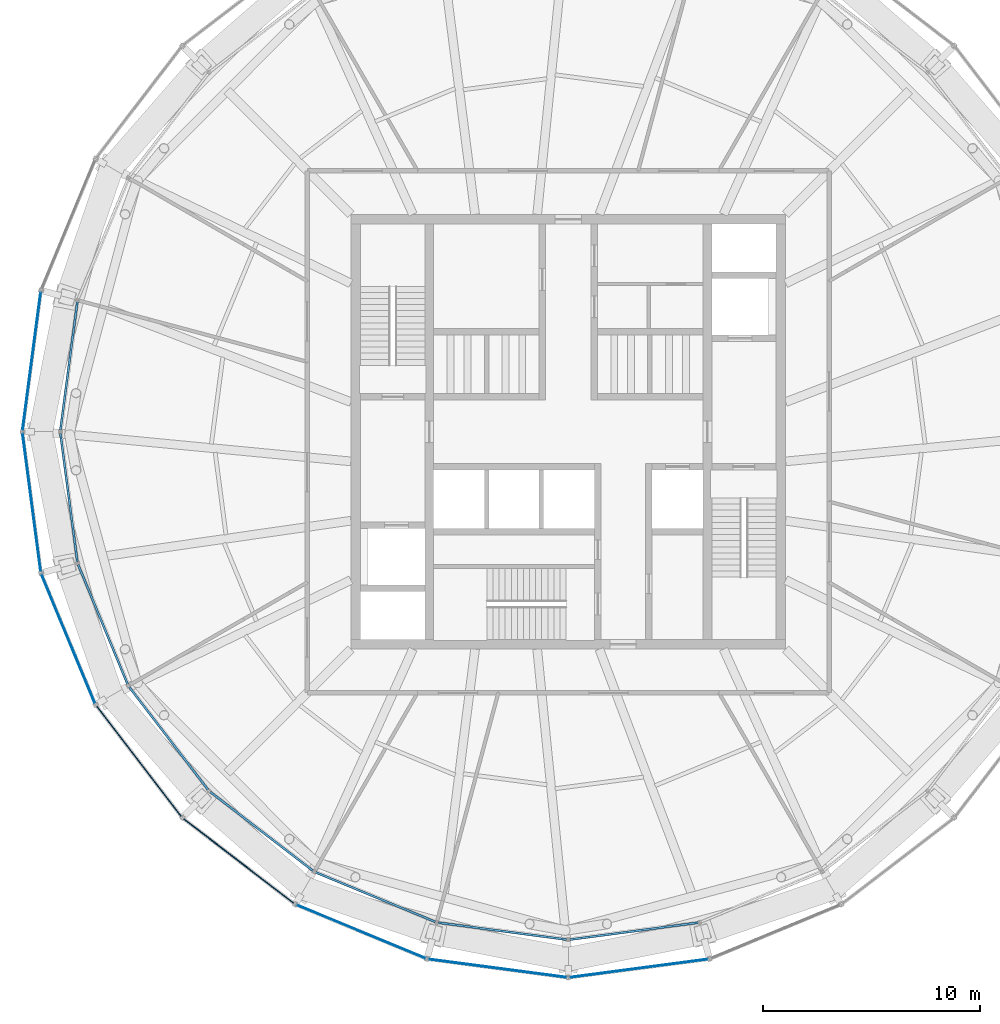
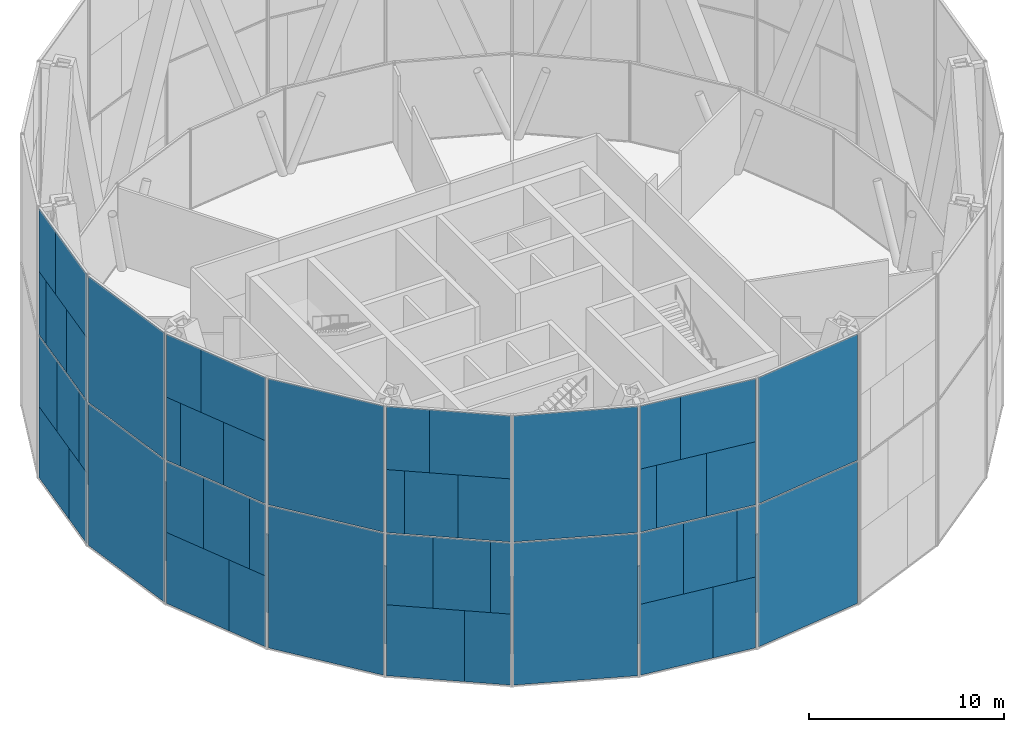
# One storey, part 9 of 15: 56 plates, 16 elements without a shape of their own.
"""IFC4 building model written with IfcOpenShell, lengths in metres."""

from ifc_helpers import new_model, si_unit, direction, frame, origin, origin_2d, place, context, subcontext, project, spatial, rectangle, extrude, material, layer, layer_set, type_object, element, aggregate, save


model = new_model("IFC4")

# Units and contexts
model_context = context("Model", 3, precision=1e-05, world=origin(), true_north=direction((0.0, 1.0)))
body_context = subcontext(model_context, "Body", "Model", "MODEL_VIEW")
ifc_project = project(units=[si_unit("LENGTHUNIT", "METRE"), si_unit("AREAUNIT", "SQUARE_METRE"), si_unit("VOLUMEUNIT", "CUBIC_METRE"), si_unit("PLANEANGLEUNIT", "RADIAN"), si_unit("MASSUNIT", "GRAM", prefix="KILO")], contexts=[model_context])

# Site, building, storey
site_placement = place(None, origin())
site = spatial("IfcSite", under=ifc_project, at=site_placement, CompositionType="ELEMENT")
building_placement = place(site_placement, origin())
building = spatial("IfcBuilding", under=site, at=building_placement, Name="Golbaran Civic Tower", CompositionType="ELEMENT")
storey_placement = place(building_placement, frame((0.0, 0.0, 215.0)))
storey = spatial("IfcBuildingStorey", under=building, at=storey_placement, Name="L52", CompositionType="ELEMENT", Elevation=215.0)

# Curtain wall, plates
ifc_material_1 = material(Name="Aluminium and glass", Category="aluminium")
curtain_wall_type_1 = type_object("IfcCurtainWallType", Name="OUTER SKIN TERRACOTTA SCREEN", PredefinedType="NOTDEFINED", material=ifc_material_1)
curtain_wall_1_placement = place(storey_placement, origin())
curtain_wall_1 = element("IfcCurtainWall", 1, at=curtain_wall_1_placement, inside=storey, type_object=curtain_wall_type_1, Name="Outer skin L52 facet 12 CW3", ObjectType="OUTER SKIN", PredefinedType="USERDEFINED")
ifc_material_2 = material(Name="Clear laminated glass", Category="glass")
ifc_layer_1 = layer(ifc_material_2, 0.0400390625, Name="Clear laminated glass")
ifc_layer_set_1 = layer_set([ifc_layer_1], Name="Clear laminated glass")
plate_type_1 = type_object("IfcPlateType", Name="OUTER SKIN CLEAR GLASS PANEL", PredefinedType="CURTAIN_PANEL", material=ifc_layer_set_1)
plate_1_placement = place(storey_placement, frame((-24.524169921875, 4.41943359375, -0.6298828125), z_axis=(0.0, 0.0, 1.0), x_axis=(-0.130526192203, -0.991444861376, 0.0)))
plate_1 = element("IfcPlate", 2, at=plate_1_placement, type_object=plate_type_1, Name="CW3 panel 1.1 part 1", PredefinedType="CURTAIN_PANEL", context=body_context, shape_type="SweptSolid", body=[
    extrude(rectangle(XDim=4.032958984375, YDim=0.0400390625, at=origin_2d()), origin(), (0.0, 0.0, 1.0), 4.43994140625),
])
plate_2_placement = place(storey_placement, frame((-24.417236328125, 5.232421875, 3.81005859375), z_axis=(0.0, 0.0, 1.0), x_axis=(-0.130526192203, -0.991444861376, 0.0)))
plate_2 = element("IfcPlate", 3, at=plate_2_placement, type_object=plate_type_1, Name="CW3 panel 1.1 part 3", PredefinedType="CURTAIN_PANEL", context=body_context, shape_type="SweptSolid", body=[
    extrude(rectangle(XDim=2.39306640625, YDim=0.0400390625, at=origin_2d()), origin(), (0.0, 0.0, 1.0), 4.43994140625),
])
plate_3_placement = place(storey_placement, frame((-25.027587890625, 0.594970703125, 3.81005859375), z_axis=(0.0, 0.0, 1.0), x_axis=(-0.130526192203, -0.991444861376, 0.0)))
plate_3 = element("IfcPlate", 4, at=plate_3_placement, type_object=plate_type_1, Name="CW3 panel 1.1 part 5", PredefinedType="CURTAIN_PANEL", context=body_context, shape_type="SweptSolid", body=[
    extrude(rectangle(XDim=1.0400390625, YDim=0.0400390625, at=origin_2d()), origin(), (0.0, 0.0, 1.0), 4.43994140625),
])
plate_4_placement = place(storey_placement, frame((-24.3203125, 5.968505859375, 8.330078125), z_axis=(0.0, 0.0, 1.0), x_axis=(-0.130526192203, -0.991444861376, 0.0)))
plate_4 = element("IfcPlate", 5, at=plate_4_placement, type_object=plate_type_1, Name="CW3 panel 1.2 part 1", PredefinedType="CURTAIN_PANEL", context=body_context, shape_type="SweptSolid", body=[
    extrude(rectangle(XDim=0.907958984375, YDim=0.0400390625, at=origin_2d()), origin(), (0.0, 0.0, 1.0), 3.93994140625),
])
plate_5_placement = place(storey_placement, frame((-24.91845703125, 1.4248046875, 8.330078125), z_axis=(0.0, 0.0, 1.0), x_axis=(-0.130526192203, -0.991444861376, 0.0)))
plate_5 = element("IfcPlate", 6, at=plate_5_placement, type_object=plate_type_1, Name="CW3 panel 1.2 part 3", PredefinedType="CURTAIN_PANEL", context=body_context, shape_type="SweptSolid", body=[
    extrude(rectangle(XDim=2.7138671875, YDim=0.0400390625, at=origin_2d()), origin(), (0.0, 0.0, 1.0), 3.93994140625),
])
plate_6_placement = place(storey_placement, frame((-24.822998046875, 2.14892578125, 12.27001953125), z_axis=(0.0, 0.0, 1.0), x_axis=(-0.130526192203, -0.991444861376, 0.0)))
plate_6 = element("IfcPlate", 7, at=plate_6_placement, type_object=plate_type_1, Name="CW3 panel 1.2 part 5", PredefinedType="CURTAIN_PANEL", context=body_context, shape_type="SweptSolid", body=[
    extrude(rectangle(XDim=4.175048828125, YDim=0.0400390625, at=origin_2d()), origin(), (0.0, 0.0, 1.0), 3.93994140625),
])

curtain_wall_2_placement = place(storey_placement, origin())
curtain_wall_2 = element("IfcCurtainWall", 8, at=curtain_wall_2_placement, inside=storey, type_object=curtain_wall_type_1, Name="Outer skin L52 facet 14 CW3", ObjectType="OUTER SKIN", PredefinedType="USERDEFINED")
plate_7_placement = place(storey_placement, frame((-23.4482421875, -8.434814453125, -0.6298828125), z_axis=(0.0, 0.0, 1.0), x_axis=(0.38268343243, -0.923879532485, 0.0)))
plate_7 = element("IfcPlate", 9, at=plate_7_placement, type_object=plate_type_1, Name="CW3 panel 1.1 part 1", PredefinedType="CURTAIN_PANEL", context=body_context, shape_type="SweptSolid", body=[
    extrude(rectangle(XDim=4.032958984375, YDim=0.0400390625, at=origin_2d()), origin(), (0.0, 0.0, 1.0), 4.43994140625),
])
plate_8_placement = place(storey_placement, frame((-23.761962890625, -7.67724609375, 3.81005859375), z_axis=(0.0, 0.0, 1.0), x_axis=(0.38268343243, -0.923879532485, 0.0)))
plate_8 = element("IfcPlate", 10, at=plate_8_placement, type_object=plate_type_1, Name="CW3 panel 1.1 part 3", PredefinedType="CURTAIN_PANEL", context=body_context, shape_type="SweptSolid", body=[
    extrude(rectangle(XDim=2.39306640625, YDim=0.0400390625, at=origin_2d()), origin(), (0.0, 0.0, 1.0), 4.43994140625),
])
plate_9_placement = place(storey_placement, frame((-21.971923828125, -11.998779296875, 3.81005859375), z_axis=(0.0, 0.0, 1.0), x_axis=(0.38268343243, -0.923879532485, 0.0)))
plate_9 = element("IfcPlate", 11, at=plate_9_placement, type_object=plate_type_1, Name="CW3 panel 1.1 part 5", PredefinedType="CURTAIN_PANEL", context=body_context, shape_type="SweptSolid", body=[
    extrude(rectangle(XDim=1.0400390625, YDim=0.0400390625, at=origin_2d()), origin(), (0.0, 0.0, 1.0), 4.43994140625),
])
plate_10_placement = place(storey_placement, frame((-24.046142578125, -6.9912109375, 8.330078125), z_axis=(0.0, 0.0, 1.0), x_axis=(0.38268343243, -0.923879532485, 0.0)))
plate_10 = element("IfcPlate", 12, at=plate_10_placement, type_object=plate_type_1, Name="CW3 panel 1.2 part 1", PredefinedType="CURTAIN_PANEL", context=body_context, shape_type="SweptSolid", body=[
    extrude(rectangle(XDim=0.907958984375, YDim=0.0400390625, at=origin_2d()), origin(), (0.0, 0.0, 1.0), 3.93994140625),
])
plate_11_placement = place(storey_placement, frame((-22.292236328125, -11.225341796875, 8.330078125), z_axis=(0.0, 0.0, 1.0), x_axis=(0.38268343243, -0.923879532485, 0.0)))
plate_11 = element("IfcPlate", 13, at=plate_11_placement, type_object=plate_type_1, Name="CW3 panel 1.2 part 3", PredefinedType="CURTAIN_PANEL", context=body_context, shape_type="SweptSolid", body=[
    extrude(rectangle(XDim=2.7138671875, YDim=0.0400390625, at=origin_2d()), origin(), (0.0, 0.0, 1.0), 3.93994140625),
])
plate_12_placement = place(storey_placement, frame((-22.57177734375, -10.550537109375, 12.27001953125), z_axis=(0.0, 0.0, 1.0), x_axis=(0.38268343243, -0.923879532485, 0.0)))
plate_12 = element("IfcPlate", 14, at=plate_12_placement, type_object=plate_type_1, Name="CW3 panel 1.2 part 5", PredefinedType="CURTAIN_PANEL", context=body_context, shape_type="SweptSolid", body=[
    extrude(rectangle(XDim=4.175048828125, YDim=0.0400390625, at=origin_2d()), origin(), (0.0, 0.0, 1.0), 3.93994140625),
])

curtain_wall_3_placement = place(storey_placement, origin())
curtain_wall_3 = element("IfcCurtainWall", 15, at=curtain_wall_3_placement, inside=storey, type_object=curtain_wall_type_1, Name="Outer skin L52 facet 16 CW3", ObjectType="OUTER SKIN", PredefinedType="USERDEFINED")
plate_13_placement = place(storey_placement, frame((-16.08935546875, -19.02880859375, -0.6298828125), z_axis=(0.0, 0.0, 1.0), x_axis=(0.793353340259, -0.60876142905, 0.0)))
plate_13 = element("IfcPlate", 16, at=plate_13_placement, type_object=plate_type_1, Name="CW3 panel 1.1 part 1", PredefinedType="CURTAIN_PANEL", context=body_context, shape_type="SweptSolid", body=[
    extrude(rectangle(XDim=4.032958984375, YDim=0.0400390625, at=origin_2d()), origin(), (0.0, 0.0, 1.0), 4.43994140625),
])
plate_14_placement = place(storey_placement, frame((-16.739990234375, -18.52978515625, 3.81005859375), z_axis=(0.0, 0.0, 1.0), x_axis=(0.793353340259, -0.60876142905, 0.0)))
plate_14 = element("IfcPlate", 17, at=plate_14_placement, type_object=plate_type_1, Name="CW3 panel 1.1 part 3", PredefinedType="CURTAIN_PANEL", context=body_context, shape_type="SweptSolid", body=[
    extrude(rectangle(XDim=2.39306640625, YDim=0.0400390625, at=origin_2d()), origin(), (0.0, 0.0, 1.0), 4.43994140625),
])
plate_15_placement = place(storey_placement, frame((-13.029052734375, -21.377197265625, 3.81005859375), z_axis=(0.0, 0.0, 1.0), x_axis=(0.793353340259, -0.60876142905, 0.0)))
plate_15 = element("IfcPlate", 18, at=plate_15_placement, type_object=plate_type_1, Name="CW3 panel 1.1 part 5", PredefinedType="CURTAIN_PANEL", context=body_context, shape_type="SweptSolid", body=[
    extrude(rectangle(XDim=1.0400390625, YDim=0.0400390625, at=origin_2d()), origin(), (0.0, 0.0, 1.0), 4.43994140625),
])
plate_16_placement = place(storey_placement, frame((-17.328857421875, -18.07763671875, 8.330078125), z_axis=(0.0, 0.0, 1.0), x_axis=(0.793353340259, -0.60876142905, 0.0)))
plate_16 = element("IfcPlate", 19, at=plate_16_placement, type_object=plate_type_1, Name="CW3 panel 1.2 part 1", PredefinedType="CURTAIN_PANEL", context=body_context, shape_type="SweptSolid", body=[
    extrude(rectangle(XDim=0.907958984375, YDim=0.0400390625, at=origin_2d()), origin(), (0.0, 0.0, 1.0), 3.93994140625),
])
plate_17_placement = place(storey_placement, frame((-13.693115234375, -20.86767578125, 8.330078125), z_axis=(0.0, 0.0, 1.0), x_axis=(0.793353340259, -0.60876142905, 0.0)))
plate_17 = element("IfcPlate", 20, at=plate_17_placement, type_object=plate_type_1, Name="CW3 panel 1.2 part 3", PredefinedType="CURTAIN_PANEL", context=body_context, shape_type="SweptSolid", body=[
    extrude(rectangle(XDim=2.7138671875, YDim=0.0400390625, at=origin_2d()), origin(), (0.0, 0.0, 1.0), 3.93994140625),
])
plate_18_placement = place(storey_placement, frame((-14.272705078125, -20.4228515625, 12.27001953125), z_axis=(0.0, 0.0, 1.0), x_axis=(0.793353340259, -0.60876142905, 0.0)))
plate_18 = element("IfcPlate", 21, at=plate_18_placement, type_object=plate_type_1, Name="CW3 panel 1.2 part 5", PredefinedType="CURTAIN_PANEL", context=body_context, shape_type="SweptSolid", body=[
    extrude(rectangle(XDim=4.175048828125, YDim=0.0400390625, at=origin_2d()), origin(), (0.0, 0.0, 1.0), 3.93994140625),
])

curtain_wall_4_placement = place(storey_placement, origin())
curtain_wall_4 = element("IfcCurtainWall", 22, at=curtain_wall_4_placement, inside=storey, type_object=curtain_wall_type_1, Name="Outer skin L52 facet 18 CW3", ObjectType="OUTER SKIN", PredefinedType="USERDEFINED")
plate_19_placement = place(storey_placement, frame((-4.41943359375, -24.524169921875, -0.6298828125), z_axis=(0.0, 0.0, 1.0), x_axis=(0.991444861376, -0.130526192203, 0.0)))
plate_19 = element("IfcPlate", 23, at=plate_19_placement, type_object=plate_type_1, Name="CW3 panel 1.1 part 1", PredefinedType="CURTAIN_PANEL", context=body_context, shape_type="SweptSolid", body=[
    extrude(rectangle(XDim=4.032958984375, YDim=0.0400390625, at=origin_2d()), origin(), (0.0, 0.0, 1.0), 4.43994140625),
])
plate_20_placement = place(storey_placement, frame((-5.232421875, -24.417236328125, 3.81005859375), z_axis=(0.0, 0.0, 1.0), x_axis=(0.991444861376, -0.130526192203, 0.0)))
plate_20 = element("IfcPlate", 24, at=plate_20_placement, type_object=plate_type_1, Name="CW3 panel 1.1 part 3", PredefinedType="CURTAIN_PANEL", context=body_context, shape_type="SweptSolid", body=[
    extrude(rectangle(XDim=2.39306640625, YDim=0.0400390625, at=origin_2d()), origin(), (0.0, 0.0, 1.0), 4.43994140625),
])
plate_21_placement = place(storey_placement, frame((-0.594970703125, -25.027587890625, 3.81005859375), z_axis=(0.0, 0.0, 1.0), x_axis=(0.991444861376, -0.130526192203, 0.0)))
plate_21 = element("IfcPlate", 25, at=plate_21_placement, type_object=plate_type_1, Name="CW3 panel 1.1 part 5", PredefinedType="CURTAIN_PANEL", context=body_context, shape_type="SweptSolid", body=[
    extrude(rectangle(XDim=1.0400390625, YDim=0.0400390625, at=origin_2d()), origin(), (0.0, 0.0, 1.0), 4.43994140625),
])
plate_22_placement = place(storey_placement, frame((-5.968505859375, -24.3203125, 8.330078125), z_axis=(0.0, 0.0, 1.0), x_axis=(0.991444861376, -0.130526192203, 0.0)))
plate_22 = element("IfcPlate", 26, at=plate_22_placement, type_object=plate_type_1, Name="CW3 panel 1.2 part 1", PredefinedType="CURTAIN_PANEL", context=body_context, shape_type="SweptSolid", body=[
    extrude(rectangle(XDim=0.907958984375, YDim=0.0400390625, at=origin_2d()), origin(), (0.0, 0.0, 1.0), 3.93994140625),
])
plate_23_placement = place(storey_placement, frame((-1.4248046875, -24.91845703125, 8.330078125), z_axis=(0.0, 0.0, 1.0), x_axis=(0.991444861376, -0.130526192203, 0.0)))
plate_23 = element("IfcPlate", 27, at=plate_23_placement, type_object=plate_type_1, Name="CW3 panel 1.2 part 3", PredefinedType="CURTAIN_PANEL", context=body_context, shape_type="SweptSolid", body=[
    extrude(rectangle(XDim=2.7138671875, YDim=0.0400390625, at=origin_2d()), origin(), (0.0, 0.0, 1.0), 3.93994140625),
])
plate_24_placement = place(storey_placement, frame((-2.14892578125, -24.822998046875, 12.27001953125), z_axis=(0.0, 0.0, 1.0), x_axis=(0.991444861376, -0.130526192203, 0.0)))
plate_24 = element("IfcPlate", 28, at=plate_24_placement, type_object=plate_type_1, Name="CW3 panel 1.2 part 5", PredefinedType="CURTAIN_PANEL", context=body_context, shape_type="SweptSolid", body=[
    extrude(rectangle(XDim=4.175048828125, YDim=0.0400390625, at=origin_2d()), origin(), (0.0, 0.0, 1.0), 3.93994140625),
])

# Plate
ifc_material_3 = material(Name="Terracotta baguette screen", Category="masonry")
ifc_layer_2 = layer(ifc_material_3, 0.0400390625, Name="Terracotta baguette screen")
ifc_layer_set_2 = layer_set([ifc_layer_2], Name="Terracotta baguette screen")
plate_type_2 = type_object("IfcPlateType", Name="OUTER SKIN TERRACOTTA INFILL PANEL", PredefinedType="CURTAIN_PANEL", material=ifc_layer_set_2)
plate_25_placement = place(storey_placement, frame((-24.94140625, 1.249755859375, -0.6298828125), z_axis=(0.0, 0.0, 1.0), x_axis=(-0.130526192203, -0.991444861376, 0.0)))
plate_25 = element("IfcPlate", 29, at=plate_25_placement, type_object=plate_type_2, Name="CW3 infill panel 1.1 part 2", PredefinedType="CURTAIN_PANEL", context=body_context, shape_type="SweptSolid", body=[
    extrude(rectangle(XDim=2.361083984375, YDim=0.0400390625, at=origin_2d()), origin(), (0.0, 0.0, 1.0), 4.43994140625),
])

plate_26_placement = place(storey_placement, frame((-24.7666015625, 2.578125, 3.81005859375), z_axis=(0.0, 0.0, 1.0), x_axis=(-0.130526192203, -0.991444861376, 0.0)))
plate_26 = element("IfcPlate", 30, at=plate_26_placement, type_object=plate_type_2, Name="CW3 infill panel 1.1 part 4", PredefinedType="CURTAIN_PANEL", context=body_context, shape_type="SweptSolid", body=[
    extrude(rectangle(XDim=2.9609375, YDim=0.0400390625, at=origin_2d()), origin(), (0.0, 0.0, 1.0), 4.43994140625),
])

plate_27_placement = place(storey_placement, frame((-24.560302734375, 4.144287109375, 8.330078125), z_axis=(0.0, 0.0, 1.0), x_axis=(-0.130526192203, -0.991444861376, 0.0)))
plate_27 = element("IfcPlate", 31, at=plate_27_placement, type_object=plate_type_2, Name="CW3 infill panel 1.2 part 2", PredefinedType="CURTAIN_PANEL", context=body_context, shape_type="SweptSolid", body=[
    extrude(rectangle(XDim=2.77197265625, YDim=0.0400390625, at=origin_2d()), origin(), (0.0, 0.0, 1.0), 3.93994140625),
])

plate_28_placement = place(storey_placement, frame((-24.40576171875, 5.318603515625, 12.27001953125), z_axis=(0.0, 0.0, 1.0), x_axis=(-0.130526192203, -0.991444861376, 0.0)))
plate_28 = element("IfcPlate", 32, at=plate_28_placement, type_object=plate_type_2, Name="CW3 infill panel 1.2 part 4", PredefinedType="CURTAIN_PANEL", context=body_context, shape_type="SweptSolid", body=[
    extrude(rectangle(XDim=2.218994140625, YDim=0.0400390625, at=origin_2d()), origin(), (0.0, 0.0, 1.0), 3.93994140625),
])

aggregate(curtain_wall_1, [plate_1, plate_25, plate_2, plate_26, plate_3, plate_4, plate_27, plate_5, plate_28, plate_6])

plate_29_placement = place(storey_placement, frame((-22.224853515625, -11.388427734375, -0.6298828125), z_axis=(0.0, 0.0, 1.0), x_axis=(0.38268343243, -0.923879532485, 0.0)))
plate_29 = element("IfcPlate", 33, at=plate_29_placement, type_object=plate_type_2, Name="CW3 infill panel 1.1 part 2", PredefinedType="CURTAIN_PANEL", context=body_context, shape_type="SweptSolid", body=[
    extrude(rectangle(XDim=2.361083984375, YDim=0.0400390625, at=origin_2d()), origin(), (0.0, 0.0, 1.0), 4.43994140625),
])

plate_30_placement = place(storey_placement, frame((-22.737548828125, -10.150390625, 3.81005859375), z_axis=(0.0, 0.0, 1.0), x_axis=(0.38268343243, -0.923879532485, 0.0)))
plate_30 = element("IfcPlate", 34, at=plate_30_placement, type_object=plate_type_2, Name="CW3 infill panel 1.1 part 4", PredefinedType="CURTAIN_PANEL", context=body_context, shape_type="SweptSolid", body=[
    extrude(rectangle(XDim=2.9609375, YDim=0.0400390625, at=origin_2d()), origin(), (0.0, 0.0, 1.0), 4.43994140625),
])

plate_31_placement = place(storey_placement, frame((-23.342041015625, -8.691162109375, 8.330078125), z_axis=(0.0, 0.0, 1.0), x_axis=(0.38268343243, -0.923879532485, 0.0)))
plate_31 = element("IfcPlate", 35, at=plate_31_placement, type_object=plate_type_2, Name="CW3 infill panel 1.2 part 2", PredefinedType="CURTAIN_PANEL", context=body_context, shape_type="SweptSolid", body=[
    extrude(rectangle(XDim=2.77197265625, YDim=0.0400390625, at=origin_2d()), origin(), (0.0, 0.0, 1.0), 3.93994140625),
])

plate_32_placement = place(storey_placement, frame((-23.79541015625, -7.596923828125, 12.27001953125), z_axis=(0.0, 0.0, 1.0), x_axis=(0.38268343243, -0.923879532485, 0.0)))
plate_32 = element("IfcPlate", 36, at=plate_32_placement, type_object=plate_type_2, Name="CW3 infill panel 1.2 part 4", PredefinedType="CURTAIN_PANEL", context=body_context, shape_type="SweptSolid", body=[
    extrude(rectangle(XDim=2.218994140625, YDim=0.0400390625, at=origin_2d()), origin(), (0.0, 0.0, 1.0), 3.93994140625),
])

aggregate(curtain_wall_2, [plate_7, plate_29, plate_8, plate_30, plate_9, plate_10, plate_31, plate_11, plate_32, plate_12])

plate_33_placement = place(storey_placement, frame((-13.552978515625, -20.97509765625, -0.6298828125), z_axis=(0.0, 0.0, 1.0), x_axis=(0.793353340259, -0.60876142905, 0.0)))
plate_33 = element("IfcPlate", 37, at=plate_33_placement, type_object=plate_type_2, Name="CW3 infill panel 1.1 part 2", PredefinedType="CURTAIN_PANEL", context=body_context, shape_type="SweptSolid", body=[
    extrude(rectangle(XDim=2.361083984375, YDim=0.0400390625, at=origin_2d()), origin(), (0.0, 0.0, 1.0), 4.43994140625),
])

plate_34_placement = place(storey_placement, frame((-14.6162109375, -20.159423828125, 3.81005859375), z_axis=(0.0, 0.0, 1.0), x_axis=(0.793353340259, -0.60876142905, 0.0)))
plate_34 = element("IfcPlate", 38, at=plate_34_placement, type_object=plate_type_2, Name="CW3 infill panel 1.1 part 4", PredefinedType="CURTAIN_PANEL", context=body_context, shape_type="SweptSolid", body=[
    extrude(rectangle(XDim=2.9609375, YDim=0.0400390625, at=origin_2d()), origin(), (0.0, 0.0, 1.0), 4.43994140625),
])

plate_35_placement = place(storey_placement, frame((-15.869140625, -19.19775390625, 8.330078125), z_axis=(0.0, 0.0, 1.0), x_axis=(0.793353340259, -0.60876142905, 0.0)))
plate_35 = element("IfcPlate", 39, at=plate_35_placement, type_object=plate_type_2, Name="CW3 infill panel 1.2 part 2", PredefinedType="CURTAIN_PANEL", context=body_context, shape_type="SweptSolid", body=[
    extrude(rectangle(XDim=2.77197265625, YDim=0.0400390625, at=origin_2d()), origin(), (0.0, 0.0, 1.0), 3.93994140625),
])

plate_36_placement = place(storey_placement, frame((-16.808837890625, -18.476806640625, 12.27001953125), z_axis=(0.0, 0.0, 1.0), x_axis=(0.793353340259, -0.60876142905, 0.0)))
plate_36 = element("IfcPlate", 40, at=plate_36_placement, type_object=plate_type_2, Name="CW3 infill panel 1.2 part 4", PredefinedType="CURTAIN_PANEL", context=body_context, shape_type="SweptSolid", body=[
    extrude(rectangle(XDim=2.218994140625, YDim=0.0400390625, at=origin_2d()), origin(), (0.0, 0.0, 1.0), 3.93994140625),
])

aggregate(curtain_wall_3, [plate_13, plate_33, plate_14, plate_34, plate_15, plate_16, plate_35, plate_17, plate_36, plate_18])

plate_37_placement = place(storey_placement, frame((-1.249755859375, -24.94140625, -0.6298828125), z_axis=(0.0, 0.0, 1.0), x_axis=(0.991444861376, -0.130526192203, 0.0)))
plate_37 = element("IfcPlate", 41, at=plate_37_placement, type_object=plate_type_2, Name="CW3 infill panel 1.1 part 2", PredefinedType="CURTAIN_PANEL", context=body_context, shape_type="SweptSolid", body=[
    extrude(rectangle(XDim=2.361083984375, YDim=0.0400390625, at=origin_2d()), origin(), (0.0, 0.0, 1.0), 4.43994140625),
])

plate_38_placement = place(storey_placement, frame((-2.578125, -24.7666015625, 3.81005859375), z_axis=(0.0, 0.0, 1.0), x_axis=(0.991444861376, -0.130526192203, 0.0)))
plate_38 = element("IfcPlate", 42, at=plate_38_placement, type_object=plate_type_2, Name="CW3 infill panel 1.1 part 4", PredefinedType="CURTAIN_PANEL", context=body_context, shape_type="SweptSolid", body=[
    extrude(rectangle(XDim=2.9609375, YDim=0.0400390625, at=origin_2d()), origin(), (0.0, 0.0, 1.0), 4.43994140625),
])

plate_39_placement = place(storey_placement, frame((-4.144287109375, -24.560302734375, 8.330078125), z_axis=(0.0, 0.0, 1.0), x_axis=(0.991444861376, -0.130526192203, 0.0)))
plate_39 = element("IfcPlate", 43, at=plate_39_placement, type_object=plate_type_2, Name="CW3 infill panel 1.2 part 2", PredefinedType="CURTAIN_PANEL", context=body_context, shape_type="SweptSolid", body=[
    extrude(rectangle(XDim=2.77197265625, YDim=0.0400390625, at=origin_2d()), origin(), (0.0, 0.0, 1.0), 3.93994140625),
])

plate_40_placement = place(storey_placement, frame((-5.318603515625, -24.40576171875, 12.27001953125), z_axis=(0.0, 0.0, 1.0), x_axis=(0.991444861376, -0.130526192203, 0.0)))
plate_40 = element("IfcPlate", 44, at=plate_40_placement, type_object=plate_type_2, Name="CW3 infill panel 1.2 part 4", PredefinedType="CURTAIN_PANEL", context=body_context, shape_type="SweptSolid", body=[
    extrude(rectangle(XDim=2.218994140625, YDim=0.0400390625, at=origin_2d()), origin(), (0.0, 0.0, 1.0), 3.93994140625),
])

aggregate(curtain_wall_4, [plate_19, plate_37, plate_20, plate_38, plate_21, plate_22, plate_39, plate_23, plate_40, plate_24])

# Curtain wall, plates
curtain_wall_5_placement = place(storey_placement, origin())
curtain_wall_5 = element("IfcCurtainWall", 45, at=curtain_wall_5_placement, inside=storey, type_object=curtain_wall_type_1, Name="Outer skin L52 facet 13 CW3", ObjectType="OUTER SKIN", PredefinedType="USERDEFINED")
ifc_layer_3 = layer(ifc_material_3, 0.0400390625, Name="Terracotta baguette screen")
ifc_layer_set_3 = layer_set([ifc_layer_3], Name="Terracotta baguette screen")
plate_type_3 = type_object("IfcPlateType", Name="OUTER SKIN TERRACOTTA SCREEN PANEL", PredefinedType="CURTAIN_PANEL", material=ifc_layer_set_3)
plate_41_placement = place(storey_placement, frame((-24.67822265625, -3.2490234375, -0.6298828125), z_axis=(0.0, 0.0, 1.0), x_axis=(0.130526192203, -0.991444861376, 0.0)))
plate_41 = element("IfcPlate", 46, at=plate_41_placement, type_object=plate_type_3, Name="CW3 terracotta screen panel 1.1", PredefinedType="CURTAIN_PANEL", context=body_context, shape_type="SweptSolid", body=[
    extrude(rectangle(XDim=6.39404296875, YDim=0.0400390625, at=origin_2d()), origin(), (0.0, 0.0, 1.0), 8.8798828125),
])
plate_42_placement = place(storey_placement, frame((-24.67822265625, -3.2490234375, 8.330078125), z_axis=(0.0, 0.0, 1.0), x_axis=(0.130526192203, -0.991444861376, 0.0)))
plate_42 = element("IfcPlate", 47, at=plate_42_placement, type_object=plate_type_3, Name="CW3 terracotta screen panel 1.2", PredefinedType="CURTAIN_PANEL", context=body_context, shape_type="SweptSolid", body=[
    extrude(rectangle(XDim=6.39404296875, YDim=0.0400390625, at=origin_2d()), origin(), (0.0, 0.0, 1.0), 7.8798828125),
])
aggregate(curtain_wall_5, [plate_41, plate_42])

curtain_wall_6_placement = place(storey_placement, origin())
curtain_wall_6 = element("IfcCurtainWall", 48, at=curtain_wall_6_placement, inside=storey, type_object=curtain_wall_type_1, Name="Outer skin L52 facet 15 CW3", ObjectType="OUTER SKIN", PredefinedType="USERDEFINED")
plate_43_placement = place(storey_placement, frame((-19.74755859375, -15.15283203125, -0.6298828125), z_axis=(0.0, 0.0, 1.0), x_axis=(0.60876142905, -0.793353340259, 0.0)))
plate_43 = element("IfcPlate", 49, at=plate_43_placement, type_object=plate_type_3, Name="CW3 terracotta screen panel 1.1", PredefinedType="CURTAIN_PANEL", context=body_context, shape_type="SweptSolid", body=[
    extrude(rectangle(XDim=6.39404296875, YDim=0.0400390625, at=origin_2d()), origin(), (0.0, 0.0, 1.0), 8.8798828125),
])
plate_44_placement = place(storey_placement, frame((-19.74755859375, -15.15283203125, 8.330078125), z_axis=(0.0, 0.0, 1.0), x_axis=(0.60876142905, -0.793353340259, 0.0)))
plate_44 = element("IfcPlate", 50, at=plate_44_placement, type_object=plate_type_3, Name="CW3 terracotta screen panel 1.2", PredefinedType="CURTAIN_PANEL", context=body_context, shape_type="SweptSolid", body=[
    extrude(rectangle(XDim=6.39404296875, YDim=0.0400390625, at=origin_2d()), origin(), (0.0, 0.0, 1.0), 7.8798828125),
])
aggregate(curtain_wall_6, [plate_43, plate_44])

curtain_wall_7_placement = place(storey_placement, origin())
curtain_wall_7 = element("IfcCurtainWall", 51, at=curtain_wall_7_placement, inside=storey, type_object=curtain_wall_type_1, Name="Outer skin L52 facet 17 CW3", ObjectType="OUTER SKIN", PredefinedType="USERDEFINED")
plate_45_placement = place(storey_placement, frame((-9.525390625, -22.99658203125, -0.6298828125), z_axis=(0.0, 0.0, 1.0), x_axis=(0.923879532485, -0.38268343243, 0.0)))
plate_45 = element("IfcPlate", 52, at=plate_45_placement, type_object=plate_type_3, Name="CW3 terracotta screen panel 1.1", PredefinedType="CURTAIN_PANEL", context=body_context, shape_type="SweptSolid", body=[
    extrude(rectangle(XDim=6.39404296875, YDim=0.0400390625, at=origin_2d()), origin(), (0.0, 0.0, 1.0), 8.8798828125),
])
plate_46_placement = place(storey_placement, frame((-9.525390625, -22.99658203125, 8.330078125), z_axis=(0.0, 0.0, 1.0), x_axis=(0.923879532485, -0.38268343243, 0.0)))
plate_46 = element("IfcPlate", 53, at=plate_46_placement, type_object=plate_type_3, Name="CW3 terracotta screen panel 1.2", PredefinedType="CURTAIN_PANEL", context=body_context, shape_type="SweptSolid", body=[
    extrude(rectangle(XDim=6.39404296875, YDim=0.0400390625, at=origin_2d()), origin(), (0.0, 0.0, 1.0), 7.8798828125),
])
aggregate(curtain_wall_7, [plate_45, plate_46])

curtain_wall_8_placement = place(storey_placement, origin())
curtain_wall_8 = element("IfcCurtainWall", 54, at=curtain_wall_8_placement, inside=storey, type_object=curtain_wall_type_1, Name="Outer skin L52 facet 19 CW3", ObjectType="OUTER SKIN", PredefinedType="USERDEFINED")
plate_47_placement = place(storey_placement, frame((3.2490234375, -24.67822265625, -0.6298828125), z_axis=(0.0, 0.0, 1.0), x_axis=(0.991444861376, 0.130526192203, 0.0)))
plate_47 = element("IfcPlate", 55, at=plate_47_placement, type_object=plate_type_3, Name="CW3 terracotta screen panel 1.1", PredefinedType="CURTAIN_PANEL", context=body_context, shape_type="SweptSolid", body=[
    extrude(rectangle(XDim=6.39404296875, YDim=0.0400390625, at=origin_2d()), origin(), (0.0, 0.0, 1.0), 8.8798828125),
])
plate_48_placement = place(storey_placement, frame((3.2490234375, -24.67822265625, 8.330078125), z_axis=(0.0, 0.0, 1.0), x_axis=(0.991444861376, 0.130526192203, 0.0)))
plate_48 = element("IfcPlate", 56, at=plate_48_placement, type_object=plate_type_3, Name="CW3 terracotta screen panel 1.2", PredefinedType="CURTAIN_PANEL", context=body_context, shape_type="SweptSolid", body=[
    extrude(rectangle(XDim=6.39404296875, YDim=0.0400390625, at=origin_2d()), origin(), (0.0, 0.0, 1.0), 7.8798828125),
])
aggregate(curtain_wall_8, [plate_47, plate_48])

# Curtain wall, plate
curtain_wall_type_2 = type_object("IfcCurtainWallType", Name="PLANT FLOOR LOUVRE WALL", PredefinedType="NOTDEFINED", material=ifc_material_1)
curtain_wall_9_placement = place(storey_placement, origin())
curtain_wall_9 = element("IfcCurtainWall", 57, at=curtain_wall_9_placement, inside=storey, type_object=curtain_wall_type_2, Name="Inner skin L52 facet 12 CW6", ObjectType="PLANT LOUVRE WALL", PredefinedType="USERDEFINED")
ifc_material_4 = material(Name="Aluminium louvre", Category="aluminium")
ifc_layer_4 = layer(ifc_material_4, 0.10009765625, Name="Aluminium louvre")
ifc_layer_set_4 = layer_set([ifc_layer_4], Name="Aluminium louvre")
plate_type_4 = type_object("IfcPlateType", Name="PLANT FLOOR LOUVRE WALL LOUVRE PANEL", PredefinedType="CURTAIN_PANEL", material=ifc_layer_set_4)
plate_49_placement = place(storey_placement, frame((-22.967041015625, 3.023681640625, 0.06982421875), z_axis=(0.0, 0.0, 1.0), x_axis=(-0.130526192255, -0.991444861369, 0.0)))
plate_49 = element("IfcPlate", 58, at=plate_49_placement, type_object=plate_type_4, Name="CW6 panel 1.1", PredefinedType="CURTAIN_PANEL", context=body_context, shape_type="SweptSolid", body=[
    extrude(rectangle(XDim=5.95947265625, YDim=0.10009765625, at=origin_2d()), origin(), (0.0, 0.0, 1.0), 4.860107421875),
])
aggregate(curtain_wall_9, [plate_49])

curtain_wall_10_placement = place(storey_placement, origin())
curtain_wall_10 = element("IfcCurtainWall", 59, at=curtain_wall_10_placement, inside=storey, type_object=curtain_wall_type_2, Name="Inner skin L52 facet 13 CW6", ObjectType="PLANT LOUVRE WALL", PredefinedType="USERDEFINED")
plate_50_placement = place(storey_placement, frame((-22.967041015625, -3.023681640625, 0.06982421875), z_axis=(0.0, 0.0, 1.0), x_axis=(0.130526192255, -0.991444861369, 0.0)))
plate_50 = element("IfcPlate", 60, at=plate_50_placement, type_object=plate_type_4, Name="CW6 panel 1.1", PredefinedType="CURTAIN_PANEL", context=body_context, shape_type="SweptSolid", body=[
    extrude(rectangle(XDim=5.95947265625, YDim=0.10009765625, at=origin_2d()), origin(), (0.0, 0.0, 1.0), 4.860107421875),
])
aggregate(curtain_wall_10, [plate_50])

curtain_wall_11_placement = place(storey_placement, origin())
curtain_wall_11 = element("IfcCurtainWall", 61, at=curtain_wall_11_placement, inside=storey, type_object=curtain_wall_type_2, Name="Inner skin L52 facet 14 CW6", ObjectType="PLANT LOUVRE WALL", PredefinedType="USERDEFINED")
plate_51_placement = place(storey_placement, frame((-21.40185546875, -8.864990234375, 0.06982421875), z_axis=(0.0, 0.0, 1.0), x_axis=(0.382683432397, -0.923879532498, 0.0)))
plate_51 = element("IfcPlate", 62, at=plate_51_placement, type_object=plate_type_4, Name="CW6 panel 1.1", PredefinedType="CURTAIN_PANEL", context=body_context, shape_type="SweptSolid", body=[
    extrude(rectangle(XDim=5.95947265625, YDim=0.10009765625, at=origin_2d()), origin(), (0.0, 0.0, 1.0), 4.860107421875),
])
aggregate(curtain_wall_11, [plate_51])

curtain_wall_12_placement = place(storey_placement, origin())
curtain_wall_12 = element("IfcCurtainWall", 63, at=curtain_wall_12_placement, inside=storey, type_object=curtain_wall_type_2, Name="Inner skin L52 facet 15 CW6", ObjectType="PLANT LOUVRE WALL", PredefinedType="USERDEFINED")
plate_52_placement = place(storey_placement, frame((-18.378173828125, -14.10205078125, 0.06982421875), z_axis=(0.0, 0.0, 1.0), x_axis=(0.608761429036, -0.79335334027, 0.0)))
plate_52 = element("IfcPlate", 64, at=plate_52_placement, type_object=plate_type_4, Name="CW6 panel 1.1", PredefinedType="CURTAIN_PANEL", context=body_context, shape_type="SweptSolid", body=[
    extrude(rectangle(XDim=5.95947265625, YDim=0.10009765625, at=origin_2d()), origin(), (0.0, 0.0, 1.0), 4.860107421875),
])
aggregate(curtain_wall_12, [plate_52])

curtain_wall_13_placement = place(storey_placement, origin())
curtain_wall_13 = element("IfcCurtainWall", 65, at=curtain_wall_13_placement, inside=storey, type_object=curtain_wall_type_2, Name="Inner skin L52 facet 16 CW6", ObjectType="PLANT LOUVRE WALL", PredefinedType="USERDEFINED")
plate_53_placement = place(storey_placement, frame((-14.10205078125, -18.378173828125, 0.06982421875), z_axis=(0.0, 0.0, 1.0), x_axis=(0.79335334027, -0.608761429036, 0.0)))
plate_53 = element("IfcPlate", 66, at=plate_53_placement, type_object=plate_type_4, Name="CW6 panel 1.1", PredefinedType="CURTAIN_PANEL", context=body_context, shape_type="SweptSolid", body=[
    extrude(rectangle(XDim=5.95947265625, YDim=0.10009765625, at=origin_2d()), origin(), (0.0, 0.0, 1.0), 4.860107421875),
])
aggregate(curtain_wall_13, [plate_53])

curtain_wall_14_placement = place(storey_placement, origin())
curtain_wall_14 = element("IfcCurtainWall", 67, at=curtain_wall_14_placement, inside=storey, type_object=curtain_wall_type_2, Name="Inner skin L52 facet 17 CW6", ObjectType="PLANT LOUVRE WALL", PredefinedType="USERDEFINED")
plate_54_placement = place(storey_placement, frame((-8.864990234375, -21.40185546875, 0.06982421875), z_axis=(0.0, 0.0, 1.0), x_axis=(0.923879532498, -0.382683432397, 0.0)))
plate_54 = element("IfcPlate", 68, at=plate_54_placement, type_object=plate_type_4, Name="CW6 panel 1.1", PredefinedType="CURTAIN_PANEL", context=body_context, shape_type="SweptSolid", body=[
    extrude(rectangle(XDim=5.95947265625, YDim=0.10009765625, at=origin_2d()), origin(), (0.0, 0.0, 1.0), 4.860107421875),
])
aggregate(curtain_wall_14, [plate_54])

curtain_wall_15_placement = place(storey_placement, origin())
curtain_wall_15 = element("IfcCurtainWall", 69, at=curtain_wall_15_placement, inside=storey, type_object=curtain_wall_type_2, Name="Inner skin L52 facet 18 CW6", ObjectType="PLANT LOUVRE WALL", PredefinedType="USERDEFINED")
plate_55_placement = place(storey_placement, frame((-3.023681640625, -22.967041015625, 0.06982421875), z_axis=(0.0, 0.0, 1.0), x_axis=(0.991444861369, -0.130526192255, 0.0)))
plate_55 = element("IfcPlate", 70, at=plate_55_placement, type_object=plate_type_4, Name="CW6 panel 1.1", PredefinedType="CURTAIN_PANEL", context=body_context, shape_type="SweptSolid", body=[
    extrude(rectangle(XDim=5.95947265625, YDim=0.10009765625, at=origin_2d()), origin(), (0.0, 0.0, 1.0), 4.860107421875),
])
aggregate(curtain_wall_15, [plate_55])

curtain_wall_16_placement = place(storey_placement, origin())
curtain_wall_16 = element("IfcCurtainWall", 71, at=curtain_wall_16_placement, inside=storey, type_object=curtain_wall_type_2, Name="Inner skin L52 facet 19 CW6", ObjectType="PLANT LOUVRE WALL", PredefinedType="USERDEFINED")
plate_56_placement = place(storey_placement, frame((3.023681640625, -22.967041015625, 0.06982421875), z_axis=(0.0, 0.0, 1.0), x_axis=(0.991444861369, 0.130526192255, 0.0)))
plate_56 = element("IfcPlate", 72, at=plate_56_placement, type_object=plate_type_4, Name="CW6 panel 1.1", PredefinedType="CURTAIN_PANEL", context=body_context, shape_type="SweptSolid", body=[
    extrude(rectangle(XDim=5.95947265625, YDim=0.10009765625, at=origin_2d()), origin(), (0.0, 0.0, 1.0), 4.860107421875),
])
aggregate(curtain_wall_16, [plate_56])

save(model, "model.ifc")
